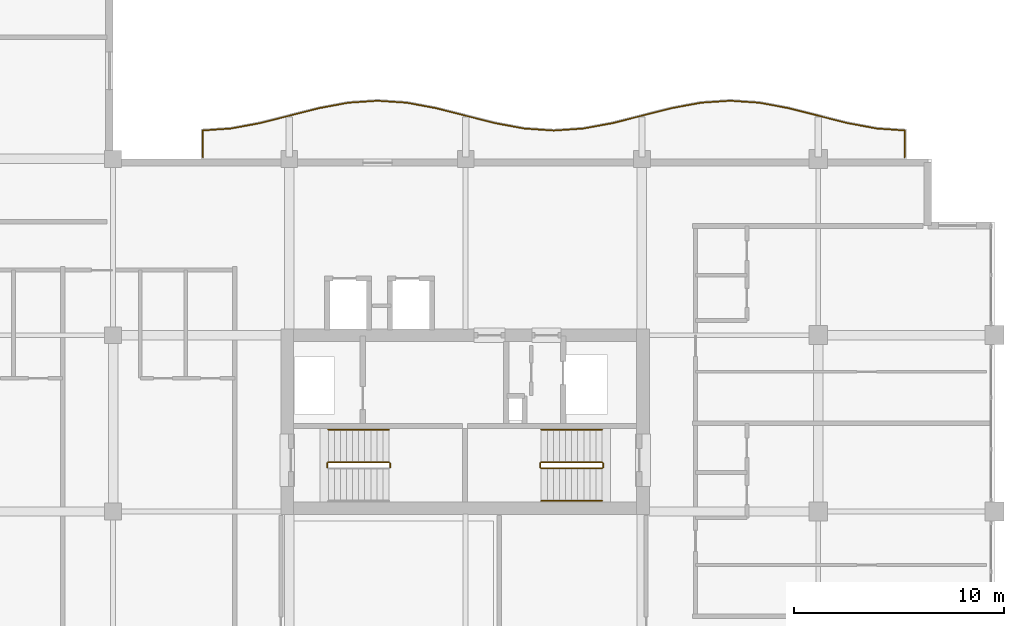
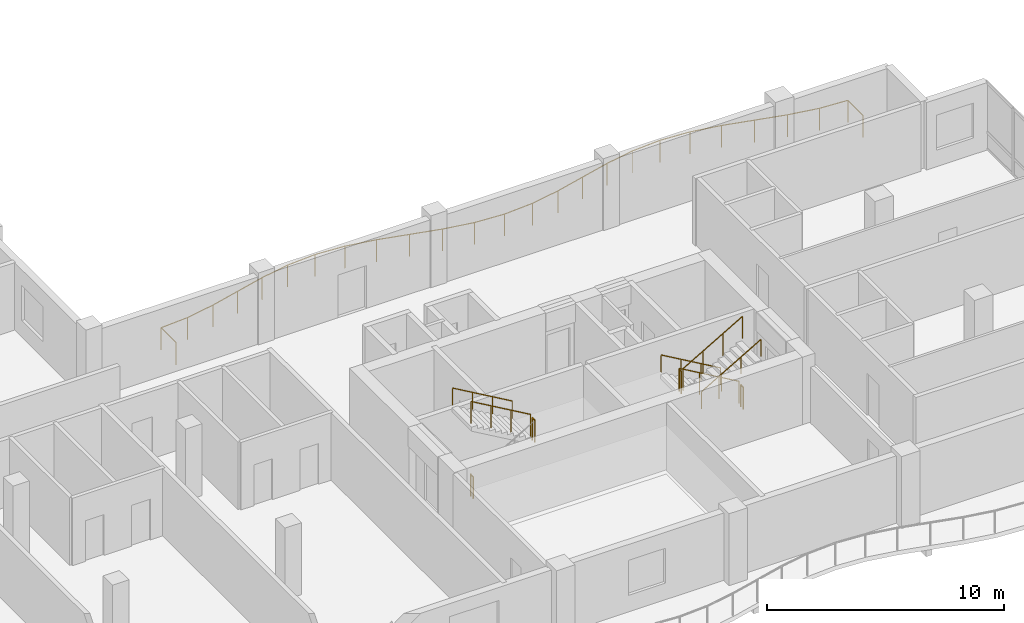
# One storey, part 14 of 16: 11 railings.
"""IFC4 building model written with IfcOpenShell, lengths in metres."""

from ifc_helpers import new_model, si_unit, direction, frame, origin, origin_2d, place, context, subcontext, project, spatial, circle, extrude, material, type_object, element, save


model = new_model("IFC4")

# Units and contexts
model_context = context("Model", 3, precision=1e-05, world=origin(), true_north=direction((0.0, 1.0)))
body_context = subcontext(model_context, "Body", "Model", "MODEL_VIEW")
ifc_project = project(units=[si_unit("LENGTHUNIT", "METRE"), si_unit("AREAUNIT", "SQUARE_METRE"), si_unit("VOLUMEUNIT", "CUBIC_METRE"), si_unit("PLANEANGLEUNIT", "RADIAN"), si_unit("MASSUNIT", "GRAM", prefix="KILO")], contexts=[model_context])

# Site, building, storey
site_placement = place(None, origin())
site = spatial("IfcSite", under=ifc_project, at=site_placement, CompositionType="ELEMENT")
building_placement = place(site_placement, origin())
building = spatial("IfcBuilding", under=site, at=building_placement, Name="Koriwani Terraces Tower", CompositionType="ELEMENT")
storey_placement = place(building_placement, frame((0.0, 0.0, 245.300048828125)))
storey = spatial("IfcBuildingStorey", under=building, at=storey_placement, Name="L60", CompositionType="ELEMENT", Elevation=245.300048828125)

# Railings
ifc_material = material(Name="Steel ASTM A572 Grade 50", Category="steel")
railing_type_1 = type_object("IfcRailingType", Name="GUARD_BALUSTRADE_1150", PredefinedType="BALUSTRADE", material=ifc_material)
railing_1_placement = place(storey_placement, frame((71.320068359375, 33.679931640625, 0.0)))
element("IfcRailing", 1, at=railing_1_placement, inside=storey, type_object=railing_type_1, Name="L60 Balcony Perimeter Safety Balustrade (NE)", PredefinedType="BALUSTRADE", context=body_context, shape_type="SweptSolid", body=[
    extrude(circle(Radius=0.02392578125, at=origin_2d()), frame((0.0, 0.0, 1.1259765625), z_axis=(0.0, 1.0, 0.0), x_axis=(-1.0, 0.0, 0.0)), (0.0, 0.0, 1.0), 1.275146484375),
    extrude(circle(Radius=0.02392578125, at=origin_2d()), frame((0.0, 1.275146484375, 1.1259765625), z_axis=(-0.997676908726, 0.068123313151, 0.0), x_axis=(-0.068123313151, -0.997676908726, 0.0)), (0.0, 0.0, 1.0), 1.333251953125),
    extrude(circle(Radius=0.02392578125, at=origin_2d()), frame((-1.330078125, 1.365966796875, 1.1259765625), z_axis=(-0.983227655562, 0.182382502828, 0.0), x_axis=(-0.182382502828, -0.983227655562, 0.0)), (0.0, 0.0, 1.0), 1.430908203125),
    extrude(circle(Radius=0.02392578125, at=origin_2d()), frame((-2.737060546875, 1.626953125, 1.1259765625), z_axis=(-0.969331819617, 0.245755617389, 0.0), x_axis=(-0.245755617389, -0.969331819617, 0.0)), (0.0, 0.0, 1.0), 2.888916015625),
    extrude(circle(Radius=0.02392578125, at=origin_2d()), frame((-5.537353515625, 2.3369140625, 1.1259765625), z_axis=(-0.98320420208, 0.182508895706, 0.0), x_axis=(-0.182508895706, -0.98320420208, 0.0)), (0.0, 0.0, 1.0), 1.41650390625),
    extrude(circle(Radius=0.02392578125, at=origin_2d()), frame((-6.93017578125, 2.595458984375, 1.1259765625), z_axis=(-0.997697457915, 0.067821696155, 0.0), x_axis=(-0.067821696155, -0.997697457915, 0.0)), (0.0, 0.0, 1.0), 1.39306640625),
    extrude(circle(Radius=0.02392578125, at=origin_2d()), frame((-8.320068359375, 2.68994140625, 1.1259765625), z_axis=(-0.997697457915, -0.067821696155, 0.0), x_axis=(0.067821696155, -0.997697457915, 0.0)), (0.0, 0.0, 1.0), 1.39306640625),
    extrude(circle(Radius=0.02392578125, at=origin_2d()), frame((-9.7099609375, 2.595458984375, 1.1259765625), z_axis=(-0.98320420208, -0.182508895706, 0.0), x_axis=(0.182508895706, -0.98320420208, 0.0)), (0.0, 0.0, 1.0), 1.41650390625),
    extrude(circle(Radius=0.02392578125, at=origin_2d()), frame((-11.102783203125, 2.3369140625, 1.1259765625), z_axis=(-0.969331819617, -0.245755617389, 0.0), x_axis=(0.245755617389, -0.969331819617, 0.0)), (0.0, 0.0, 1.0), 2.888916015625),
    extrude(circle(Radius=0.02392578125, at=origin_2d()), frame((-13.903076171875, 1.626953125, 1.1259765625), z_axis=(-0.983227655562, -0.182382502828, 0.0), x_axis=(0.182382502828, -0.983227655562, 0.0)), (0.0, 0.0, 1.0), 1.430908203125),
    extrude(circle(Radius=0.02392578125, at=origin_2d()), frame((-15.31005859375, 1.365966796875, 1.1259765625), z_axis=(-0.997704165633, -0.067722949425, 0.0), x_axis=(0.067722949425, -0.997704165633, 0.0)), (0.0, 0.0, 1.0), 1.4130859375),
    extrude(circle(Radius=0.02392578125, at=origin_2d()), frame((-16.719970703125, 1.270263671875, 1.1259765625), z_axis=(-0.997704957786, 0.067711278299, 0.0), x_axis=(-0.067711278299, -0.997704957786, 0.0)), (0.0, 0.0, 1.0), 1.413330078125),
    extrude(circle(Radius=0.02392578125, at=origin_2d()), frame((-18.130126953125, 1.365966796875, 1.1259765625), z_axis=(-0.983227655562, 0.182382502828, 0.0), x_axis=(-0.182382502828, -0.983227655562, 0.0)), (0.0, 0.0, 1.0), 1.430908203125),
    extrude(circle(Radius=0.02392578125, at=origin_2d()), frame((-19.537109375, 1.626953125, 1.1259765625), z_axis=(-0.969326714928, 0.245775750895, 0.0), x_axis=(-0.245775750895, -0.969326714928, 0.0)), (0.0, 0.0, 1.0), 2.888671875),
    extrude(circle(Radius=0.02392578125, at=origin_2d()), frame((-22.337158203125, 2.3369140625, 1.1259765625), z_axis=(-0.98320420208, 0.182508895706, 0.0), x_axis=(-0.182508895706, -0.98320420208, 0.0)), (0.0, 0.0, 1.0), 1.41650390625),
    extrude(circle(Radius=0.02392578125, at=origin_2d()), frame((-23.72998046875, 2.595458984375, 1.1259765625), z_axis=(-0.997698263815, 0.067809839848, 0.0), x_axis=(-0.067809839848, -0.997698263815, 0.0)), (0.0, 0.0, 1.0), 1.393310546875),
    extrude(circle(Radius=0.02392578125, at=origin_2d()), frame((-25.1201171875, 2.68994140625, 1.1259765625), z_axis=(-0.997697457915, -0.067821696155, 0.0), x_axis=(0.067821696155, -0.997697457915, 0.0)), (0.0, 0.0, 1.0), 1.39306640625),
    extrude(circle(Radius=0.02392578125, at=origin_2d()), frame((-26.510009765625, 2.595458984375, 1.1259765625), z_axis=(-0.98320420208, -0.182508895706, 0.0), x_axis=(0.182508895706, -0.98320420208, 0.0)), (0.0, 0.0, 1.0), 1.41650390625),
    extrude(circle(Radius=0.02392578125, at=origin_2d()), frame((-27.90283203125, 2.3369140625, 1.1259765625), z_axis=(-0.969326714928, -0.245775750895, 0.0), x_axis=(0.245775750895, -0.969326714928, 0.0)), (0.0, 0.0, 1.0), 2.888671875),
    extrude(circle(Radius=0.02392578125, at=origin_2d()), frame((-30.702880859375, 1.626953125, 1.1259765625), z_axis=(-0.983233329212, -0.182351913416, 0.0), x_axis=(0.182351913416, -0.983233329212, 0.0)), (0.0, 0.0, 1.0), 1.43115234375),
    extrude(circle(Radius=0.02392578125, at=origin_2d()), frame((-32.110107421875, 1.365966796875, 1.1259765625), z_axis=(-0.997676908726, -0.068123313151, 0.0), x_axis=(0.068123313151, -0.997676908726, 0.0)), (0.0, 0.0, 1.0), 1.333251953125),
    extrude(circle(Radius=0.02392578125, at=origin_2d()), frame((-33.440185546875, 1.275146484375, 1.1259765625), z_axis=(0.0, -1.0, 0.0), x_axis=(1.0, 0.0, 0.0)), (0.0, 0.0, 1.0), 1.275146484375),
    extrude(circle(Radius=0.02099609375, at=origin_2d()), origin(), (0.0, 0.0, 1.0), 1.101806640625),
    extrude(circle(Radius=0.02099609375, at=origin_2d()), frame((0.0, 1.275146484375, 0.0)), (0.0, 0.0, 1.0), 1.101806640625),
    extrude(circle(Radius=0.02099609375, at=origin_2d()), frame((-1.330078125, 1.365966796875, 0.0)), (0.0, 0.0, 1.0), 1.101806640625),
    extrude(circle(Radius=0.02099609375, at=origin_2d()), frame((-2.737060546875, 1.626953125, 0.0)), (0.0, 0.0, 1.0), 1.101806640625),
    extrude(circle(Radius=0.02099609375, at=origin_2d()), frame((-4.13720703125, 1.98193359375, 0.0)), (0.0, 0.0, 1.0), 1.101806640625),
    extrude(circle(Radius=0.02099609375, at=origin_2d()), frame((-5.537353515625, 2.3369140625, 0.0)), (0.0, 0.0, 1.0), 1.101806640625),
    extrude(circle(Radius=0.02099609375, at=origin_2d()), frame((-6.93017578125, 2.595458984375, 0.0)), (0.0, 0.0, 1.0), 1.101806640625),
    extrude(circle(Radius=0.02099609375, at=origin_2d()), frame((-8.320068359375, 2.68994140625, 0.0)), (0.0, 0.0, 1.0), 1.101806640625),
    extrude(circle(Radius=0.02099609375, at=origin_2d()), frame((-9.7099609375, 2.595458984375, 0.0)), (0.0, 0.0, 1.0), 1.101806640625),
    extrude(circle(Radius=0.02099609375, at=origin_2d()), frame((-11.102783203125, 2.3369140625, 0.0)), (0.0, 0.0, 1.0), 1.101806640625),
    extrude(circle(Radius=0.02099609375, at=origin_2d()), frame((-12.5029296875, 1.98193359375, 0.0)), (0.0, 0.0, 1.0), 1.101806640625),
    extrude(circle(Radius=0.02099609375, at=origin_2d()), frame((-13.903076171875, 1.626953125, 0.0)), (0.0, 0.0, 1.0), 1.101806640625),
    extrude(circle(Radius=0.02099609375, at=origin_2d()), frame((-15.31005859375, 1.365966796875, 0.0)), (0.0, 0.0, 1.0), 1.101806640625),
    extrude(circle(Radius=0.02099609375, at=origin_2d()), frame((-16.719970703125, 1.270263671875, 0.0)), (0.0, 0.0, 1.0), 1.101806640625),
    extrude(circle(Radius=0.02099609375, at=origin_2d()), frame((-18.130126953125, 1.365966796875, 0.0)), (0.0, 0.0, 1.0), 1.101806640625),
    extrude(circle(Radius=0.02099609375, at=origin_2d()), frame((-19.537109375, 1.626953125, 0.0)), (0.0, 0.0, 1.0), 1.101806640625),
    extrude(circle(Radius=0.02099609375, at=origin_2d()), frame((-20.93701171875, 1.98193359375, 0.0)), (0.0, 0.0, 1.0), 1.101806640625),
    extrude(circle(Radius=0.02099609375, at=origin_2d()), frame((-22.337158203125, 2.3369140625, 0.0)), (0.0, 0.0, 1.0), 1.101806640625),
    extrude(circle(Radius=0.02099609375, at=origin_2d()), frame((-23.72998046875, 2.595458984375, 0.0)), (0.0, 0.0, 1.0), 1.101806640625),
    extrude(circle(Radius=0.02099609375, at=origin_2d()), frame((-25.1201171875, 2.68994140625, 0.0)), (0.0, 0.0, 1.0), 1.101806640625),
    extrude(circle(Radius=0.02099609375, at=origin_2d()), frame((-26.510009765625, 2.595458984375, 0.0)), (0.0, 0.0, 1.0), 1.101806640625),
    extrude(circle(Radius=0.02099609375, at=origin_2d()), frame((-27.90283203125, 2.3369140625, 0.0)), (0.0, 0.0, 1.0), 1.101806640625),
    extrude(circle(Radius=0.02099609375, at=origin_2d()), frame((-29.302734375, 1.98193359375, 0.0)), (0.0, 0.0, 1.0), 1.101806640625),
    extrude(circle(Radius=0.02099609375, at=origin_2d()), frame((-30.702880859375, 1.626953125, 0.0)), (0.0, 0.0, 1.0), 1.101806640625),
    extrude(circle(Radius=0.02099609375, at=origin_2d()), frame((-32.110107421875, 1.365966796875, 0.0)), (0.0, 0.0, 1.0), 1.101806640625),
    extrude(circle(Radius=0.02099609375, at=origin_2d()), frame((-33.440185546875, 1.275146484375, 0.0)), (0.0, 0.0, 1.0), 1.101806640625),
    extrude(circle(Radius=0.02099609375, at=origin_2d()), frame((-33.440185546875, 0.0, 0.0)), (0.0, 0.0, 1.0), 1.101806640625),
])
railing_type_2 = type_object("IfcRailingType", Name="GUARD_STAIR_WELL_1120", PredefinedType="GUARDRAIL", material=ifc_material)
railing_2_placement = place(storey_placement, frame((46.800048828125, 18.89990234375, 1.849853515625)))
element("IfcRailing", 2, at=railing_2_placement, inside=storey, type_object=railing_type_2, Name="L60 ST-E1 stair guard 2", PredefinedType="GUARDRAIL", context=body_context, shape_type="SweptSolid", body=[
    extrude(circle(Radius=0.02392578125, at=origin_2d()), frame((0.0, 0.0, 1.1259765625), z_axis=(0.0, 1.0, 0.0), x_axis=(-1.0, 0.0, 0.0)), (0.0, 0.0, 1.0), 0.2001953125),
    extrude(circle(Radius=0.02099609375, at=origin_2d()), origin(), (0.0, 0.0, 1.0), 1.101806640625),
    extrude(circle(Radius=0.02099609375, at=origin_2d()), frame((0.0, 0.2001953125, 0.0)), (0.0, 0.0, 1.0), 1.101806640625),
])
railing_3_placement = place(storey_placement, frame((46.75, 19.14990234375, 2.01806640625)))
element("IfcRailing", 3, at=railing_3_placement, inside=storey, type_object=railing_type_2, Name="L60 ST-E1 stair guard 3", PredefinedType="GUARDRAIL", context=body_context, shape_type="SweptSolid", body=[
    extrude(circle(Radius=0.02392578125, at=origin_2d()), frame((0.0, 0.0, 1.1259765625), z_axis=(-0.865038774852, 0.0, 0.501705010941), x_axis=(0.0, -1.0, 0.0)), (0.0, 0.0, 1.0), 3.352294921875),
    extrude(circle(Radius=0.02099609375, at=origin_2d()), origin(), (0.0, 0.0, 1.0), 1.101806640625),
    extrude(circle(Radius=0.02099609375, at=origin_2d()), frame((-0.966552734375, 0.0, 0.560546875)), (0.0, 0.0, 1.0), 1.101806640625),
    extrude(circle(Radius=0.02099609375, at=origin_2d()), frame((-1.933349609375, 0.0, 1.121337890625)), (0.0, 0.0, 1.0), 1.101806640625),
    extrude(circle(Radius=0.02099609375, at=origin_2d()), frame((-2.89990234375, 0.0, 1.681884765625)), (0.0, 0.0, 1.0), 1.101806640625),
])
railing_4_placement = place(storey_placement, frame((43.800048828125, 18.89990234375, 0.0)))
element("IfcRailing", 4, at=railing_4_placement, inside=storey, type_object=railing_type_2, Name="L60 ST-E1 stair guard 4", PredefinedType="GUARDRAIL", context=body_context, shape_type="SweptSolid", body=[
    extrude(circle(Radius=0.02392578125, at=origin_2d()), frame((0.0, 0.0, 1.1259765625), z_axis=(0.0, 1.0, 0.0), x_axis=(-1.0, 0.0, 0.0)), (0.0, 0.0, 1.0), 0.2001953125),
    extrude(circle(Radius=0.02099609375, at=origin_2d()), origin(), (0.0, 0.0, 1.0), 1.101806640625),
    extrude(circle(Radius=0.02099609375, at=origin_2d()), frame((0.0, 0.2001953125, 0.0)), (0.0, 0.0, 1.0), 1.101806640625),
])
railing_5_placement = place(storey_placement, frame((56.89990234375, 19.14990234375, 0.168212890625)))
element("IfcRailing", 5, at=railing_5_placement, inside=storey, type_object=railing_type_2, Name="L60 ST-E2 stair guard 1", PredefinedType="GUARDRAIL", context=body_context, shape_type="SweptSolid", body=[
    extrude(circle(Radius=0.02392578125, at=origin_2d()), frame((0.0, 0.0, 1.1259765625), z_axis=(-0.86507038078, 0.0, 0.501650512107), x_axis=(0.0, -1.0, 0.0)), (0.0, 0.0, 1.0), 3.352294921875),
    extrude(circle(Radius=0.02099609375, at=origin_2d()), origin(), (0.0, 0.0, 1.0), 1.101806640625),
    extrude(circle(Radius=0.02099609375, at=origin_2d()), frame((-0.966552734375, 0.0, 0.560546875)), (0.0, 0.0, 1.0), 1.101806640625),
    extrude(circle(Radius=0.02099609375, at=origin_2d()), frame((-1.933349609375, 0.0, 1.12109375)), (0.0, 0.0, 1.0), 1.101806640625),
    extrude(circle(Radius=0.02099609375, at=origin_2d()), frame((-2.89990234375, 0.0, 1.681640625)), (0.0, 0.0, 1.0), 1.101806640625),
])
railing_6_placement = place(storey_placement, frame((53.949951171875, 19.10009765625, 1.849853515625)))
element("IfcRailing", 6, at=railing_6_placement, inside=storey, type_object=railing_type_2, Name="L60 ST-E2 stair guard 2", PredefinedType="GUARDRAIL", context=body_context, shape_type="SweptSolid", body=[
    extrude(circle(Radius=0.02392578125, at=origin_2d()), frame((0.0, 0.0, 1.1259765625), z_axis=(0.0, -1.0, 0.0), x_axis=(1.0, 0.0, 0.0)), (0.0, 0.0, 1.0), 0.2001953125),
    extrude(circle(Radius=0.02099609375, at=origin_2d()), origin(), (0.0, 0.0, 1.0), 1.101806640625),
    extrude(circle(Radius=0.02099609375, at=origin_2d()), frame((0.0, -0.2001953125, 0.0)), (0.0, 0.0, 1.0), 1.101806640625),
])
railing_7_placement = place(storey_placement, frame((54.0, 18.85009765625, 2.01806640625)))
element("IfcRailing", 7, at=railing_7_placement, inside=storey, type_object=railing_type_2, Name="L60 ST-E2 stair guard 3", PredefinedType="GUARDRAIL", context=body_context, shape_type="SweptSolid", body=[
    extrude(circle(Radius=0.02392578125, at=origin_2d()), frame((0.0, 0.0, 1.1259765625), z_axis=(0.865038774852, 0.0, 0.501705010941), x_axis=(0.0, 1.0, 0.0)), (0.0, 0.0, 1.0), 3.352294921875),
    extrude(circle(Radius=0.02099609375, at=origin_2d()), origin(), (0.0, 0.0, 1.0), 1.101806640625),
    extrude(circle(Radius=0.02099609375, at=origin_2d()), frame((0.966552734375, 0.0, 0.560546875)), (0.0, 0.0, 1.0), 1.101806640625),
    extrude(circle(Radius=0.02099609375, at=origin_2d()), frame((1.933349609375, 0.0, 1.121337890625)), (0.0, 0.0, 1.0), 1.101806640625),
    extrude(circle(Radius=0.02099609375, at=origin_2d()), frame((2.89990234375, 0.0, 1.681884765625)), (0.0, 0.0, 1.0), 1.101806640625),
])
railing_8_placement = place(storey_placement, frame((56.949951171875, 19.10009765625, 0.0)))
element("IfcRailing", 8, at=railing_8_placement, inside=storey, type_object=railing_type_2, Name="L60 ST-E2 stair guard 4", PredefinedType="GUARDRAIL", context=body_context, shape_type="SweptSolid", body=[
    extrude(circle(Radius=0.02392578125, at=origin_2d()), frame((0.0, 0.0, 1.1259765625), z_axis=(0.0, -1.0, 0.0), x_axis=(1.0, 0.0, 0.0)), (0.0, 0.0, 1.0), 0.2001953125),
    extrude(circle(Radius=0.02099609375, at=origin_2d()), origin(), (0.0, 0.0, 1.0), 1.101806640625),
    extrude(circle(Radius=0.02099609375, at=origin_2d()), frame((0.0, -0.2001953125, 0.0)), (0.0, 0.0, 1.0), 1.101806640625),
])
railing_type_3 = type_object("IfcRailingType", Name="HANDRAIL_STAIR_920", PredefinedType="HANDRAIL", material=ifc_material)
railing_9_placement = place(storey_placement, frame((46.75, 20.699951171875, 2.01806640625)))
element("IfcRailing", 9, at=railing_9_placement, inside=storey, type_object=railing_type_3, Name="L60 ST-E1 stair handrail 2", PredefinedType="HANDRAIL", context=body_context, shape_type="SweptSolid", body=[
    extrude(circle(Radius=0.02392578125, at=origin_2d()), frame((0.0, 0.0, 0.8759765625), z_axis=(-0.865038774852, 0.0, 0.501705010941), x_axis=(0.0, -1.0, 0.0)), (0.0, 0.0, 1.0), 3.352294921875),
    extrude(circle(Radius=0.02099609375, at=origin_2d()), origin(), (0.0, 0.0, 1.0), 0.851806640625),
    extrude(circle(Radius=0.02099609375, at=origin_2d()), frame((-0.966552734375, 0.0, 0.560546875)), (0.0, 0.0, 1.0), 0.851806640625),
    extrude(circle(Radius=0.02099609375, at=origin_2d()), frame((-1.933349609375, 0.0, 1.121337890625)), (0.0, 0.0, 1.0), 0.851806640625),
    extrude(circle(Radius=0.02099609375, at=origin_2d()), frame((-2.89990234375, 0.0, 1.681884765625)), (0.0, 0.0, 1.0), 0.851806640625),
])
railing_10_placement = place(storey_placement, frame((56.89990234375, 20.699951171875, 0.168212890625)))
element("IfcRailing", 10, at=railing_10_placement, inside=storey, type_object=railing_type_3, Name="L60 ST-E2 stair handrail 1", PredefinedType="HANDRAIL", context=body_context, shape_type="SweptSolid", body=[
    extrude(circle(Radius=0.02392578125, at=origin_2d()), frame((0.0, 0.0, 0.8759765625), z_axis=(-0.86507038078, 0.0, 0.501650512107), x_axis=(0.0, -1.0, 0.0)), (0.0, 0.0, 1.0), 3.352294921875),
    extrude(circle(Radius=0.02099609375, at=origin_2d()), origin(), (0.0, 0.0, 1.0), 0.851806640625),
    extrude(circle(Radius=0.02099609375, at=origin_2d()), frame((-0.966552734375, 0.0, 0.560546875)), (0.0, 0.0, 1.0), 0.851806640625),
    extrude(circle(Radius=0.02099609375, at=origin_2d()), frame((-1.933349609375, 0.0, 1.12109375)), (0.0, 0.0, 1.0), 0.851806640625),
    extrude(circle(Radius=0.02099609375, at=origin_2d()), frame((-2.89990234375, 0.0, 1.681640625)), (0.0, 0.0, 1.0), 0.851806640625),
])
railing_11_placement = place(storey_placement, frame((54.0, 17.300048828125, 2.01806640625)))
element("IfcRailing", 11, at=railing_11_placement, inside=storey, type_object=railing_type_3, Name="L60 ST-E2 stair handrail 2", PredefinedType="HANDRAIL", context=body_context, shape_type="SweptSolid", body=[
    extrude(circle(Radius=0.02392578125, at=origin_2d()), frame((0.0, 0.0, 0.8759765625), z_axis=(0.865038774852, 0.0, 0.501705010941), x_axis=(0.0, 1.0, 0.0)), (0.0, 0.0, 1.0), 3.352294921875),
    extrude(circle(Radius=0.02099609375, at=origin_2d()), origin(), (0.0, 0.0, 1.0), 0.851806640625),
    extrude(circle(Radius=0.02099609375, at=origin_2d()), frame((0.966552734375, 0.0, 0.560546875)), (0.0, 0.0, 1.0), 0.851806640625),
    extrude(circle(Radius=0.02099609375, at=origin_2d()), frame((1.933349609375, 0.0, 1.121337890625)), (0.0, 0.0, 1.0), 0.851806640625),
    extrude(circle(Radius=0.02099609375, at=origin_2d()), frame((2.89990234375, 0.0, 1.681884765625)), (0.0, 0.0, 1.0), 0.851806640625),
])

save(model, "model.ifc")
